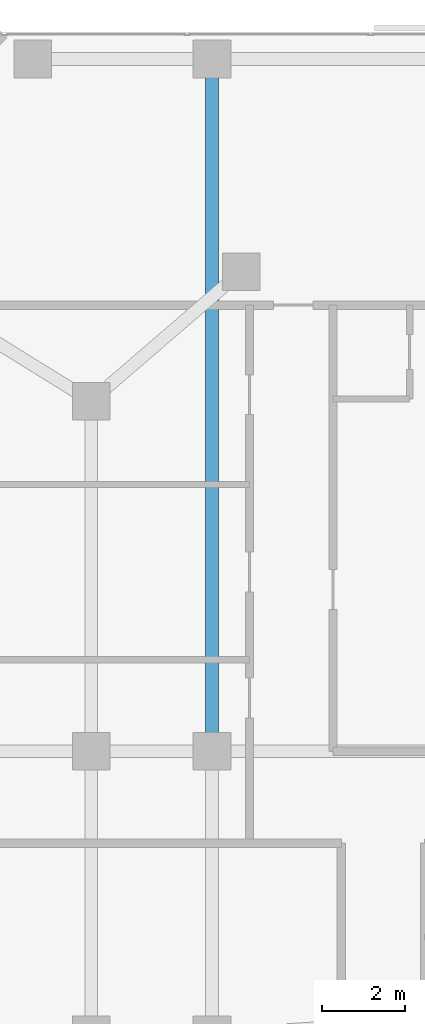
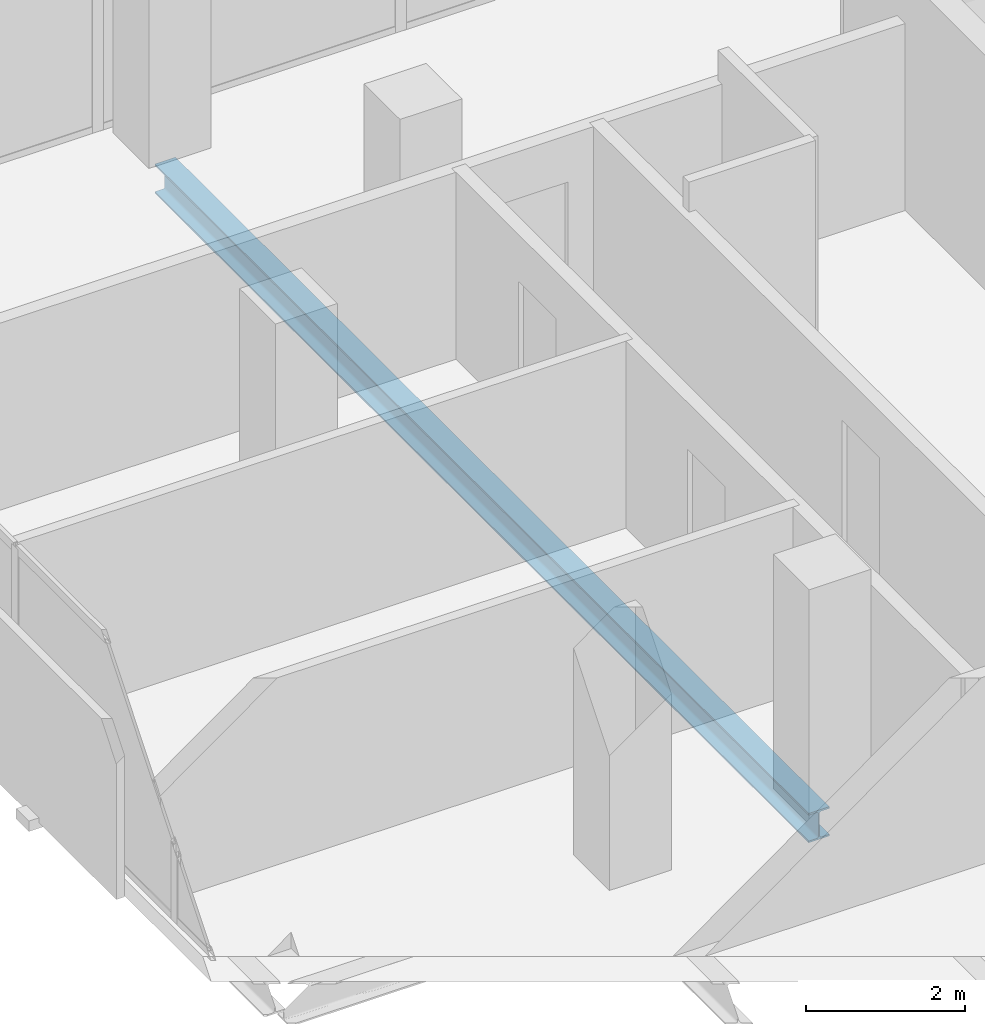
# One storey, part 18 of 34: 1 beam.
"""IFC4 building model written with IfcOpenShell, lengths in metres."""

from ifc_helpers import new_model, si_unit, direction, frame, origin, origin_2d, place, context, subcontext, project, spatial, i_section, extrude, material, material_profile, profile_set, type_object, element, save


model = new_model("IFC4")

# Units and contexts
model_context = context("Model", 3, precision=1e-05, world=origin(), true_north=direction((0.0, 1.0)))
body_context = subcontext(model_context, "Body", "Model", "MODEL_VIEW")
ifc_project = project(units=[si_unit("LENGTHUNIT", "METRE"), si_unit("AREAUNIT", "SQUARE_METRE"), si_unit("VOLUMEUNIT", "CUBIC_METRE"), si_unit("PLANEANGLEUNIT", "RADIAN"), si_unit("MASSUNIT", "GRAM", prefix="KILO")], contexts=[model_context])

# Site, building, storey
site_placement = place(None, origin())
site = spatial("IfcSite", under=ifc_project, at=site_placement, CompositionType="ELEMENT")
building_placement = place(site_placement, origin())
building = spatial("IfcBuilding", under=site, at=building_placement, Name="Catumbela Crestline Tower", CompositionType="ELEMENT")
storey_placement = place(building_placement, frame((0.0, 0.0, 111.6)))
storey = spatial("IfcBuildingStorey", under=building, at=storey_placement, Name="L28", CompositionType="ELEMENT", Elevation=111.6)

# Beam
ifc_material = material(Name="Structural steel S355J2", Category="steel")
ifc_material_profile = material_profile(ifc_material, i_section(OverallWidth=0.3, OverallDepth=0.45, WebThickness=0.014, FlangeThickness=0.026, FilletRadius=0.027, at=origin_2d()), Name="HEB 450")
ifc_profile_set = profile_set([ifc_material_profile], Name="Structural steel S355J2")
beam_type = type_object("IfcBeamType", Name="BG-HEB450", PredefinedType="BEAM", material=ifc_profile_set)
beam_placement = place(storey_placement, frame((8.5, 30.88, -0.485), z_axis=(0.0, 1.0, 0.0), x_axis=(-1.0, 0.0, 0.0)))
element("IfcBeam", 1, at=beam_placement, inside=storey, type_object=beam_type, Name="L28 Beam BM-L28-SN27", PredefinedType="BEAM", context=body_context, shape_type="SweptSolid", body=[
    extrude(i_section(OverallWidth=0.3, OverallDepth=0.45, WebThickness=0.014, FlangeThickness=0.026, FilletRadius=0.027, at=origin_2d()), origin(), (0.0, 0.0, 1.0), 16.44),
])

save(model, "model.ifc")
